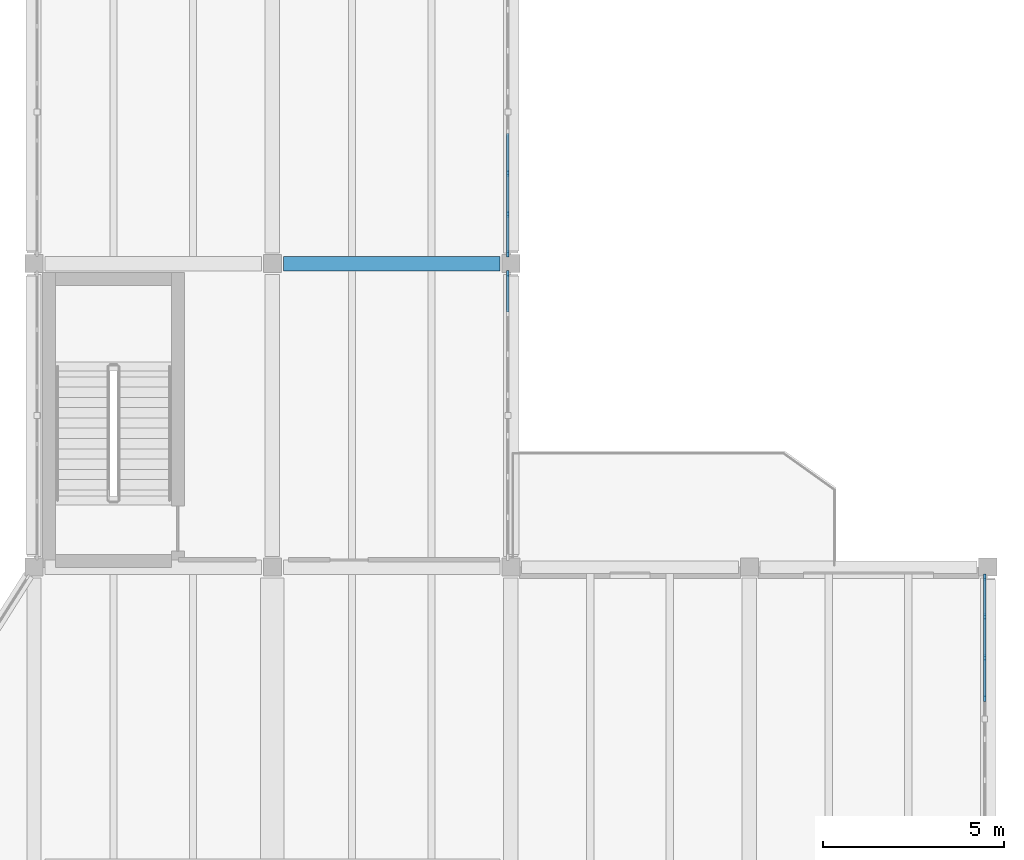
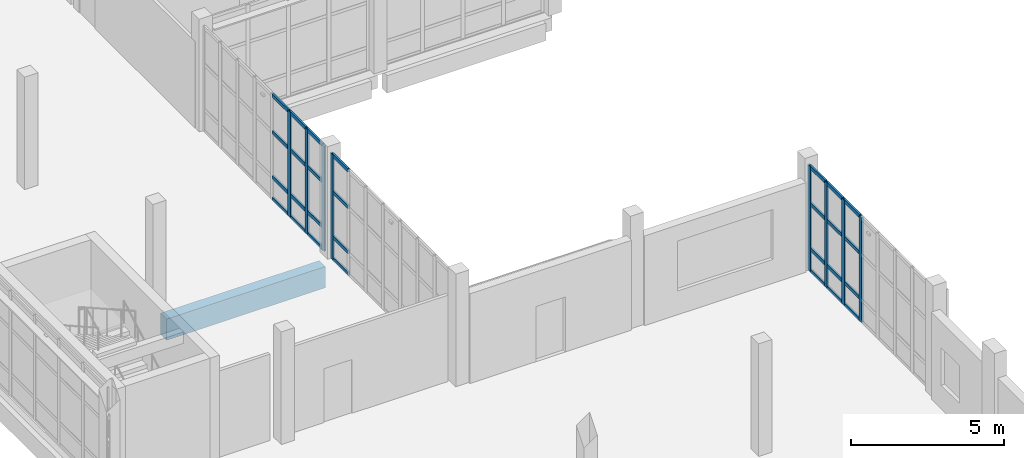
# One storey, part 29 of 83: 36 members, 1 beam, 3 elements without a shape of their own.
"""IFC4 building model written with IfcOpenShell, lengths in metres."""

from ifc_helpers import new_model, si_unit, direction, frame, origin, origin_2d, place, context, subcontext, project, spatial, rectangle, extrude, material, material_profile, profile_set, type_object, element, aggregate, save


model = new_model("IFC4")

# Units and contexts
model_context = context("Model", 3, precision=1e-05, world=origin(), true_north=direction((0.0, 1.0)))
body_context = subcontext(model_context, "Body", "Model", "MODEL_VIEW")
ifc_project = project(units=[si_unit("LENGTHUNIT", "METRE"), si_unit("AREAUNIT", "SQUARE_METRE"), si_unit("VOLUMEUNIT", "CUBIC_METRE"), si_unit("PLANEANGLEUNIT", "RADIAN"), si_unit("MASSUNIT", "GRAM", prefix="KILO")], contexts=[model_context])

# Site, building, storey
site_placement = place(None, origin())
site = spatial("IfcSite", under=ifc_project, at=site_placement, CompositionType="ELEMENT")
building_placement = place(site_placement, origin())
building = spatial("IfcBuilding", under=site, at=building_placement, Name="Qaldarim Faculty of Natural and Applied Sciences", CompositionType="ELEMENT")
storey_placement = place(building_placement, frame((0.0, 0.0, 5.39990234375)))
storey = spatial("IfcBuildingStorey", under=building, at=storey_placement, Name="L01", CompositionType="ELEMENT", Elevation=5.39990234375)

# Curtain wall, member
ifc_material_1 = material(Name="Anodised aluminium AW-6063", Category="aluminium")
curtain_wall_type = type_object("IfcCurtainWallType", Name="CurtainWallSystem-M1200", PredefinedType="USERDEFINED", material=ifc_material_1)
curtain_wall_1_placement = place(storey_placement, origin())
curtain_wall_1 = element("IfcCurtainWall", 1, at=curtain_wall_1_placement, inside=storey, type_object=curtain_wall_type, Name="Curtain wall CW-L01-E-X25Y11", ObjectType="STICK CURTAIN WALL", PredefinedType="USERDEFINED")
ifc_material_profile_1 = material_profile(ifc_material_1, rectangle(XDim=0.070068359375, YDim=0.179931640625, at=origin_2d()), Name="ALU-M70x180")
ifc_profile_set_1 = profile_set([ifc_material_profile_1], Name="Anodised aluminium AW-6063")
member_type_1 = type_object("IfcMemberType", Name="Mullion-ALU70x180", PredefinedType="MULLION", material=ifc_profile_set_1)
member_1_placement = place(storey_placement, frame((164.919921875, 92.1201171875, 0.0), z_axis=(0.0, 0.0, 1.0), x_axis=(-1.0, 0.0, 0.0)))
member_1 = element("IfcMember", 2, at=member_1_placement, type_object=member_type_1, Name="Mullion 8 of CW-L01-E-X25Y11", PredefinedType="MULLION", context=body_context, shape_type="SweptSolid", body=[
    extrude(rectangle(XDim=0.070068359375, YDim=0.179931640625, at=origin_2d()), origin(), (0.0, 0.0, 1.0), 4.2001953125),
])

# Curtain wall, members
curtain_wall_2_placement = place(storey_placement, origin())
curtain_wall_2 = element("IfcCurtainWall", 3, at=curtain_wall_2_placement, inside=storey, type_object=curtain_wall_type, Name="Curtain wall CW-L01-E-X25Y12", ObjectType="STICK CURTAIN WALL", PredefinedType="USERDEFINED")
member_2_placement = place(storey_placement, frame((164.919921875, 92.679931640625, 0.0), z_axis=(0.0, 0.0, 1.0), x_axis=(-1.0, 0.0, 0.0)))
member_2 = element("IfcMember", 4, at=member_2_placement, type_object=member_type_1, Name="Mullion 1 of CW-L01-E-X25Y12", PredefinedType="MULLION", context=body_context, shape_type="SweptSolid", body=[
    extrude(rectangle(XDim=0.070068359375, YDim=0.179931640625, at=origin_2d()), origin(), (0.0, 0.0, 1.0), 4.2001953125),
])
member_3_placement = place(storey_placement, frame((164.919921875, 93.77490234375, 0.0), z_axis=(0.0, 0.0, 1.0), x_axis=(-1.0, 0.0, 0.0)))
member_3 = element("IfcMember", 5, at=member_3_placement, type_object=member_type_1, Name="Mullion 2 of CW-L01-E-X25Y12", PredefinedType="MULLION", context=body_context, shape_type="SweptSolid", body=[
    extrude(rectangle(XDim=0.070068359375, YDim=0.179931640625, at=origin_2d()), origin(), (0.0, 0.0, 1.0), 4.2001953125),
])
member_4_placement = place(storey_placement, frame((164.919921875, 94.905029296875, 0.0), z_axis=(0.0, 0.0, 1.0), x_axis=(-1.0, 0.0, 0.0)))
member_4 = element("IfcMember", 6, at=member_4_placement, type_object=member_type_1, Name="Mullion 3 of CW-L01-E-X25Y12", PredefinedType="MULLION", context=body_context, shape_type="SweptSolid", body=[
    extrude(rectangle(XDim=0.070068359375, YDim=0.179931640625, at=origin_2d()), origin(), (0.0, 0.0, 1.0), 4.2001953125),
])

curtain_wall_3_placement = place(storey_placement, origin())
curtain_wall_3 = element("IfcCurtainWall", 7, at=curtain_wall_3_placement, inside=storey, type_object=curtain_wall_type, Name="Curtain wall CW-L01-E-X27Y10", ObjectType="STICK CURTAIN WALL", PredefinedType="USERDEFINED")
member_5_placement = place(storey_placement, frame((178.1201171875, 80.364990234375, 0.0), z_axis=(0.0, 0.0, 1.0), x_axis=(-1.0, 0.0, 0.0)))
member_5 = element("IfcMember", 8, at=member_5_placement, type_object=member_type_1, Name="Mullion 5 of CW-L01-E-X27Y10", PredefinedType="MULLION", context=body_context, shape_type="SweptSolid", body=[
    extrude(rectangle(XDim=0.070068359375, YDim=0.179931640625, at=origin_2d()), origin(), (0.0, 0.0, 1.0), 4.2001953125),
])
member_6_placement = place(storey_placement, frame((178.1201171875, 81.4951171875, 0.0), z_axis=(0.0, 0.0, 1.0), x_axis=(-1.0, 0.0, 0.0)))
member_6 = element("IfcMember", 9, at=member_6_placement, type_object=member_type_1, Name="Mullion 6 of CW-L01-E-X27Y10", PredefinedType="MULLION", context=body_context, shape_type="SweptSolid", body=[
    extrude(rectangle(XDim=0.070068359375, YDim=0.179931640625, at=origin_2d()), origin(), (0.0, 0.0, 1.0), 4.2001953125),
])
member_7_placement = place(storey_placement, frame((178.1201171875, 82.625, 0.0), z_axis=(0.0, 0.0, 1.0), x_axis=(-1.0, 0.0, 0.0)))
member_7 = element("IfcMember", 10, at=member_7_placement, type_object=member_type_1, Name="Mullion 7 of CW-L01-E-X27Y10", PredefinedType="MULLION", context=body_context, shape_type="SweptSolid", body=[
    extrude(rectangle(XDim=0.070068359375, YDim=0.179931640625, at=origin_2d()), origin(), (0.0, 0.0, 1.0), 4.2001953125),
])
member_8_placement = place(storey_placement, frame((178.1201171875, 83.719970703125, 0.0), z_axis=(0.0, 0.0, 1.0), x_axis=(-1.0, 0.0, 0.0)))
member_8 = element("IfcMember", 11, at=member_8_placement, type_object=member_type_1, Name="Mullion 8 of CW-L01-E-X27Y10", PredefinedType="MULLION", context=body_context, shape_type="SweptSolid", body=[
    extrude(rectangle(XDim=0.070068359375, YDim=0.179931640625, at=origin_2d()), origin(), (0.0, 0.0, 1.0), 4.2001953125),
])

# Beam
ifc_material_2 = material(Name="Concrete C50/60", Category="concrete")
ifc_material_profile_2 = material_profile(ifc_material_2, rectangle(XDim=0.39990234375, YDim=0.85009765625, at=origin_2d()), Name="RC-B400x850")
ifc_profile_set_2 = profile_set([ifc_material_profile_2], Name="Concrete C50/60")
beam_type = type_object("IfcBeamType", Name="PodiumGirder-RC400x850", PredefinedType="BEAM", material=ifc_profile_set_2)
beam_placement = place(storey_placement, frame((158.699951171875, 92.39990234375, -0.724853515625), z_axis=(1.0, 0.0, 0.0), x_axis=(0.0, 1.0, 0.0)))
element("IfcBeam", 12, at=beam_placement, inside=storey, type_object=beam_type, Name="Beam RC-B400x850 L00 X25-X26/Y12", PredefinedType="BEAM", context=body_context, shape_type="SweptSolid", body=[
    extrude(rectangle(XDim=0.39990234375, YDim=0.85009765625, at=origin_2d()), origin(), (0.0, 0.0, 1.0), 6.0),
])

# Member
ifc_material_profile_3 = material_profile(ifc_material_1, rectangle(XDim=0.070068359375, YDim=0.139892578125, at=origin_2d()), Name="ALU-T70x140")
ifc_profile_set_3 = profile_set([ifc_material_profile_3], Name="Anodised aluminium AW-6063")
member_type_2 = type_object("IfcMemberType", Name="Transom-ALU70x140", PredefinedType="USERDEFINED", material=ifc_profile_set_3)
member_9_placement = place(storey_placement, frame((164.919921875, 91.06005859375, 0.03515625), z_axis=(0.0, 1.0, 0.0), x_axis=(-1.0, 0.0, 0.0)))
member_9 = element("IfcMember", 13, at=member_9_placement, type_object=member_type_2, Name="Transom 7-1 of CW-L01-E-X25Y11", ObjectType="TRANSOM", PredefinedType="USERDEFINED", context=body_context, shape_type="SweptSolid", body=[
    extrude(rectangle(XDim=0.070068359375, YDim=0.139892578125, at=origin_2d()), origin(), (0.0, 0.0, 1.0), 1.02490234375),
])

member_10_placement = place(storey_placement, frame((164.919921875, 91.06005859375, 0.900146484375), z_axis=(0.0, 1.0, 0.0), x_axis=(-1.0, 0.0, 0.0)))
member_10 = element("IfcMember", 14, at=member_10_placement, type_object=member_type_2, Name="Transom 7-2 of CW-L01-E-X25Y11", ObjectType="TRANSOM", PredefinedType="USERDEFINED", context=body_context, shape_type="SweptSolid", body=[
    extrude(rectangle(XDim=0.070068359375, YDim=0.139892578125, at=origin_2d()), origin(), (0.0, 0.0, 1.0), 1.02490234375),
])

member_11_placement = place(storey_placement, frame((164.919921875, 91.06005859375, 2.7001953125), z_axis=(0.0, 1.0, 0.0), x_axis=(-1.0, 0.0, 0.0)))
member_11 = element("IfcMember", 15, at=member_11_placement, type_object=member_type_2, Name="Transom 7-3 of CW-L01-E-X25Y11", ObjectType="TRANSOM", PredefinedType="USERDEFINED", context=body_context, shape_type="SweptSolid", body=[
    extrude(rectangle(XDim=0.070068359375, YDim=0.139892578125, at=origin_2d()), origin(), (0.0, 0.0, 1.0), 1.02490234375),
])

member_12_placement = place(storey_placement, frame((164.919921875, 91.06005859375, 4.1650390625), z_axis=(0.0, 1.0, 0.0), x_axis=(-1.0, 0.0, 0.0)))
member_12 = element("IfcMember", 16, at=member_12_placement, type_object=member_type_2, Name="Transom 7-4 of CW-L01-E-X25Y11", ObjectType="TRANSOM", PredefinedType="USERDEFINED", context=body_context, shape_type="SweptSolid", body=[
    extrude(rectangle(XDim=0.070068359375, YDim=0.139892578125, at=origin_2d()), origin(), (0.0, 0.0, 1.0), 1.02490234375),
])

aggregate(curtain_wall_1, [member_1, member_9, member_10, member_11, member_12])

member_13_placement = place(storey_placement, frame((164.919921875, 92.715087890625, 0.03515625), z_axis=(0.0, 1.0, 0.0), x_axis=(-1.0, 0.0, 0.0)))
member_13 = element("IfcMember", 17, at=member_13_placement, type_object=member_type_2, Name="Transom 1-1 of CW-L01-E-X25Y12", ObjectType="TRANSOM", PredefinedType="USERDEFINED", context=body_context, shape_type="SweptSolid", body=[
    extrude(rectangle(XDim=0.070068359375, YDim=0.139892578125, at=origin_2d()), origin(), (0.0, 0.0, 1.0), 1.02490234375),
])

member_14_placement = place(storey_placement, frame((164.919921875, 92.715087890625, 0.900146484375), z_axis=(0.0, 1.0, 0.0), x_axis=(-1.0, 0.0, 0.0)))
member_14 = element("IfcMember", 18, at=member_14_placement, type_object=member_type_2, Name="Transom 1-2 of CW-L01-E-X25Y12", ObjectType="TRANSOM", PredefinedType="USERDEFINED", context=body_context, shape_type="SweptSolid", body=[
    extrude(rectangle(XDim=0.070068359375, YDim=0.139892578125, at=origin_2d()), origin(), (0.0, 0.0, 1.0), 1.02490234375),
])

member_15_placement = place(storey_placement, frame((164.919921875, 92.715087890625, 2.7001953125), z_axis=(0.0, 1.0, 0.0), x_axis=(-1.0, 0.0, 0.0)))
member_15 = element("IfcMember", 19, at=member_15_placement, type_object=member_type_2, Name="Transom 1-3 of CW-L01-E-X25Y12", ObjectType="TRANSOM", PredefinedType="USERDEFINED", context=body_context, shape_type="SweptSolid", body=[
    extrude(rectangle(XDim=0.070068359375, YDim=0.139892578125, at=origin_2d()), origin(), (0.0, 0.0, 1.0), 1.02490234375),
])

member_16_placement = place(storey_placement, frame((164.919921875, 92.715087890625, 4.1650390625), z_axis=(0.0, 1.0, 0.0), x_axis=(-1.0, 0.0, 0.0)))
member_16 = element("IfcMember", 20, at=member_16_placement, type_object=member_type_2, Name="Transom 1-4 of CW-L01-E-X25Y12", ObjectType="TRANSOM", PredefinedType="USERDEFINED", context=body_context, shape_type="SweptSolid", body=[
    extrude(rectangle(XDim=0.070068359375, YDim=0.139892578125, at=origin_2d()), origin(), (0.0, 0.0, 1.0), 1.02490234375),
])

member_17_placement = place(storey_placement, frame((164.919921875, 93.81005859375, 0.03515625), z_axis=(0.0, 1.0, 0.0), x_axis=(-1.0, 0.0, 0.0)))
member_17 = element("IfcMember", 21, at=member_17_placement, type_object=member_type_2, Name="Transom 2-1 of CW-L01-E-X25Y12", ObjectType="TRANSOM", PredefinedType="USERDEFINED", context=body_context, shape_type="SweptSolid", body=[
    extrude(rectangle(XDim=0.070068359375, YDim=0.139892578125, at=origin_2d()), origin(), (0.0, 0.0, 1.0), 1.06005859375),
])

member_18_placement = place(storey_placement, frame((164.919921875, 93.81005859375, 0.900146484375), z_axis=(0.0, 1.0, 0.0), x_axis=(-1.0, 0.0, 0.0)))
member_18 = element("IfcMember", 22, at=member_18_placement, type_object=member_type_2, Name="Transom 2-2 of CW-L01-E-X25Y12", ObjectType="TRANSOM", PredefinedType="USERDEFINED", context=body_context, shape_type="SweptSolid", body=[
    extrude(rectangle(XDim=0.070068359375, YDim=0.139892578125, at=origin_2d()), origin(), (0.0, 0.0, 1.0), 1.06005859375),
])

member_19_placement = place(storey_placement, frame((164.919921875, 93.81005859375, 2.7001953125), z_axis=(0.0, 1.0, 0.0), x_axis=(-1.0, 0.0, 0.0)))
member_19 = element("IfcMember", 23, at=member_19_placement, type_object=member_type_2, Name="Transom 2-3 of CW-L01-E-X25Y12", ObjectType="TRANSOM", PredefinedType="USERDEFINED", context=body_context, shape_type="SweptSolid", body=[
    extrude(rectangle(XDim=0.070068359375, YDim=0.139892578125, at=origin_2d()), origin(), (0.0, 0.0, 1.0), 1.06005859375),
])

member_20_placement = place(storey_placement, frame((164.919921875, 93.81005859375, 4.1650390625), z_axis=(0.0, 1.0, 0.0), x_axis=(-1.0, 0.0, 0.0)))
member_20 = element("IfcMember", 24, at=member_20_placement, type_object=member_type_2, Name="Transom 2-4 of CW-L01-E-X25Y12", ObjectType="TRANSOM", PredefinedType="USERDEFINED", context=body_context, shape_type="SweptSolid", body=[
    extrude(rectangle(XDim=0.070068359375, YDim=0.139892578125, at=origin_2d()), origin(), (0.0, 0.0, 1.0), 1.06005859375),
])

member_21_placement = place(storey_placement, frame((164.919921875, 94.93994140625, 0.03515625), z_axis=(0.0, 1.0, 0.0), x_axis=(-1.0, 0.0, 0.0)))
member_21 = element("IfcMember", 25, at=member_21_placement, type_object=member_type_2, Name="Transom 3-1 of CW-L01-E-X25Y12", ObjectType="TRANSOM", PredefinedType="USERDEFINED", context=body_context, shape_type="SweptSolid", body=[
    extrude(rectangle(XDim=0.070068359375, YDim=0.139892578125, at=origin_2d()), origin(), (0.0, 0.0, 1.0), 1.06005859375),
])

member_22_placement = place(storey_placement, frame((164.919921875, 94.93994140625, 0.900146484375), z_axis=(0.0, 1.0, 0.0), x_axis=(-1.0, 0.0, 0.0)))
member_22 = element("IfcMember", 26, at=member_22_placement, type_object=member_type_2, Name="Transom 3-2 of CW-L01-E-X25Y12", ObjectType="TRANSOM", PredefinedType="USERDEFINED", context=body_context, shape_type="SweptSolid", body=[
    extrude(rectangle(XDim=0.070068359375, YDim=0.139892578125, at=origin_2d()), origin(), (0.0, 0.0, 1.0), 1.06005859375),
])

member_23_placement = place(storey_placement, frame((164.919921875, 94.93994140625, 2.7001953125), z_axis=(0.0, 1.0, 0.0), x_axis=(-1.0, 0.0, 0.0)))
member_23 = element("IfcMember", 27, at=member_23_placement, type_object=member_type_2, Name="Transom 3-3 of CW-L01-E-X25Y12", ObjectType="TRANSOM", PredefinedType="USERDEFINED", context=body_context, shape_type="SweptSolid", body=[
    extrude(rectangle(XDim=0.070068359375, YDim=0.139892578125, at=origin_2d()), origin(), (0.0, 0.0, 1.0), 1.06005859375),
])

member_24_placement = place(storey_placement, frame((164.919921875, 94.93994140625, 4.1650390625), z_axis=(0.0, 1.0, 0.0), x_axis=(-1.0, 0.0, 0.0)))
member_24 = element("IfcMember", 28, at=member_24_placement, type_object=member_type_2, Name="Transom 3-4 of CW-L01-E-X25Y12", ObjectType="TRANSOM", PredefinedType="USERDEFINED", context=body_context, shape_type="SweptSolid", body=[
    extrude(rectangle(XDim=0.070068359375, YDim=0.139892578125, at=origin_2d()), origin(), (0.0, 0.0, 1.0), 1.06005859375),
])

aggregate(curtain_wall_2, [member_2, member_3, member_4, member_13, member_14, member_15, member_16, member_17, member_18, member_19, member_20, member_21, member_22, member_23, member_24])

member_25_placement = place(storey_placement, frame((178.1201171875, 80.39990234375, 0.03515625), z_axis=(0.0, 1.0, 0.0), x_axis=(-1.0, 0.0, 0.0)))
member_25 = element("IfcMember", 29, at=member_25_placement, type_object=member_type_2, Name="Transom 5-1 of CW-L01-E-X27Y10", ObjectType="TRANSOM", PredefinedType="USERDEFINED", context=body_context, shape_type="SweptSolid", body=[
    extrude(rectangle(XDim=0.070068359375, YDim=0.139892578125, at=origin_2d()), origin(), (0.0, 0.0, 1.0), 1.06005859375),
])

member_26_placement = place(storey_placement, frame((178.1201171875, 80.39990234375, 0.900146484375), z_axis=(0.0, 1.0, 0.0), x_axis=(-1.0, 0.0, 0.0)))
member_26 = element("IfcMember", 30, at=member_26_placement, type_object=member_type_2, Name="Transom 5-2 of CW-L01-E-X27Y10", ObjectType="TRANSOM", PredefinedType="USERDEFINED", context=body_context, shape_type="SweptSolid", body=[
    extrude(rectangle(XDim=0.070068359375, YDim=0.139892578125, at=origin_2d()), origin(), (0.0, 0.0, 1.0), 1.06005859375),
])

member_27_placement = place(storey_placement, frame((178.1201171875, 80.39990234375, 2.7001953125), z_axis=(0.0, 1.0, 0.0), x_axis=(-1.0, 0.0, 0.0)))
member_27 = element("IfcMember", 31, at=member_27_placement, type_object=member_type_2, Name="Transom 5-3 of CW-L01-E-X27Y10", ObjectType="TRANSOM", PredefinedType="USERDEFINED", context=body_context, shape_type="SweptSolid", body=[
    extrude(rectangle(XDim=0.070068359375, YDim=0.139892578125, at=origin_2d()), origin(), (0.0, 0.0, 1.0), 1.06005859375),
])

member_28_placement = place(storey_placement, frame((178.1201171875, 80.39990234375, 4.1650390625), z_axis=(0.0, 1.0, 0.0), x_axis=(-1.0, 0.0, 0.0)))
member_28 = element("IfcMember", 32, at=member_28_placement, type_object=member_type_2, Name="Transom 5-4 of CW-L01-E-X27Y10", ObjectType="TRANSOM", PredefinedType="USERDEFINED", context=body_context, shape_type="SweptSolid", body=[
    extrude(rectangle(XDim=0.070068359375, YDim=0.139892578125, at=origin_2d()), origin(), (0.0, 0.0, 1.0), 1.06005859375),
])

member_29_placement = place(storey_placement, frame((178.1201171875, 81.530029296875, 0.03515625), z_axis=(0.0, 1.0, 0.0), x_axis=(-1.0, 0.0, 0.0)))
member_29 = element("IfcMember", 33, at=member_29_placement, type_object=member_type_2, Name="Transom 6-1 of CW-L01-E-X27Y10", ObjectType="TRANSOM", PredefinedType="USERDEFINED", context=body_context, shape_type="SweptSolid", body=[
    extrude(rectangle(XDim=0.070068359375, YDim=0.139892578125, at=origin_2d()), origin(), (0.0, 0.0, 1.0), 1.06005859375),
])

member_30_placement = place(storey_placement, frame((178.1201171875, 81.530029296875, 0.900146484375), z_axis=(0.0, 1.0, 0.0), x_axis=(-1.0, 0.0, 0.0)))
member_30 = element("IfcMember", 34, at=member_30_placement, type_object=member_type_2, Name="Transom 6-2 of CW-L01-E-X27Y10", ObjectType="TRANSOM", PredefinedType="USERDEFINED", context=body_context, shape_type="SweptSolid", body=[
    extrude(rectangle(XDim=0.070068359375, YDim=0.139892578125, at=origin_2d()), origin(), (0.0, 0.0, 1.0), 1.06005859375),
])

member_31_placement = place(storey_placement, frame((178.1201171875, 81.530029296875, 2.7001953125), z_axis=(0.0, 1.0, 0.0), x_axis=(-1.0, 0.0, 0.0)))
member_31 = element("IfcMember", 35, at=member_31_placement, type_object=member_type_2, Name="Transom 6-3 of CW-L01-E-X27Y10", ObjectType="TRANSOM", PredefinedType="USERDEFINED", context=body_context, shape_type="SweptSolid", body=[
    extrude(rectangle(XDim=0.070068359375, YDim=0.139892578125, at=origin_2d()), origin(), (0.0, 0.0, 1.0), 1.06005859375),
])

member_32_placement = place(storey_placement, frame((178.1201171875, 81.530029296875, 4.1650390625), z_axis=(0.0, 1.0, 0.0), x_axis=(-1.0, 0.0, 0.0)))
member_32 = element("IfcMember", 36, at=member_32_placement, type_object=member_type_2, Name="Transom 6-4 of CW-L01-E-X27Y10", ObjectType="TRANSOM", PredefinedType="USERDEFINED", context=body_context, shape_type="SweptSolid", body=[
    extrude(rectangle(XDim=0.070068359375, YDim=0.139892578125, at=origin_2d()), origin(), (0.0, 0.0, 1.0), 1.06005859375),
])

member_33_placement = place(storey_placement, frame((178.1201171875, 82.659912109375, 0.03515625), z_axis=(0.0, 1.0, 0.0), x_axis=(-1.0, 0.0, 0.0)))
member_33 = element("IfcMember", 37, at=member_33_placement, type_object=member_type_2, Name="Transom 7-1 of CW-L01-E-X27Y10", ObjectType="TRANSOM", PredefinedType="USERDEFINED", context=body_context, shape_type="SweptSolid", body=[
    extrude(rectangle(XDim=0.070068359375, YDim=0.139892578125, at=origin_2d()), origin(), (0.0, 0.0, 1.0), 1.025146484375),
])

member_34_placement = place(storey_placement, frame((178.1201171875, 82.659912109375, 0.900146484375), z_axis=(0.0, 1.0, 0.0), x_axis=(-1.0, 0.0, 0.0)))
member_34 = element("IfcMember", 38, at=member_34_placement, type_object=member_type_2, Name="Transom 7-2 of CW-L01-E-X27Y10", ObjectType="TRANSOM", PredefinedType="USERDEFINED", context=body_context, shape_type="SweptSolid", body=[
    extrude(rectangle(XDim=0.070068359375, YDim=0.139892578125, at=origin_2d()), origin(), (0.0, 0.0, 1.0), 1.025146484375),
])

member_35_placement = place(storey_placement, frame((178.1201171875, 82.659912109375, 2.7001953125), z_axis=(0.0, 1.0, 0.0), x_axis=(-1.0, 0.0, 0.0)))
member_35 = element("IfcMember", 39, at=member_35_placement, type_object=member_type_2, Name="Transom 7-3 of CW-L01-E-X27Y10", ObjectType="TRANSOM", PredefinedType="USERDEFINED", context=body_context, shape_type="SweptSolid", body=[
    extrude(rectangle(XDim=0.070068359375, YDim=0.139892578125, at=origin_2d()), origin(), (0.0, 0.0, 1.0), 1.025146484375),
])

member_36_placement = place(storey_placement, frame((178.1201171875, 82.659912109375, 4.1650390625), z_axis=(0.0, 1.0, 0.0), x_axis=(-1.0, 0.0, 0.0)))
member_36 = element("IfcMember", 40, at=member_36_placement, type_object=member_type_2, Name="Transom 7-4 of CW-L01-E-X27Y10", ObjectType="TRANSOM", PredefinedType="USERDEFINED", context=body_context, shape_type="SweptSolid", body=[
    extrude(rectangle(XDim=0.070068359375, YDim=0.139892578125, at=origin_2d()), origin(), (0.0, 0.0, 1.0), 1.025146484375),
])

aggregate(curtain_wall_3, [member_5, member_6, member_7, member_8, member_25, member_26, member_27, member_28, member_29, member_30, member_31, member_32, member_33, member_34, member_35, member_36])

save(model, "model.ifc")
